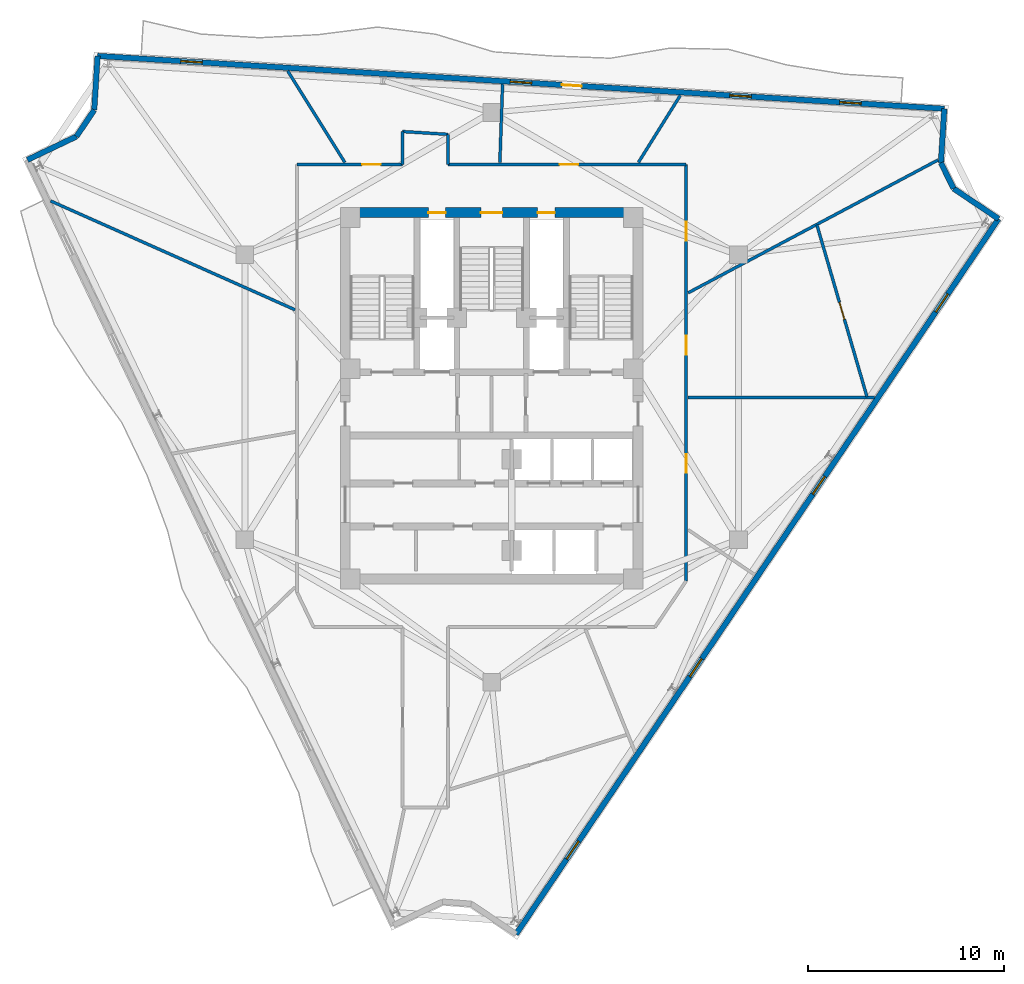
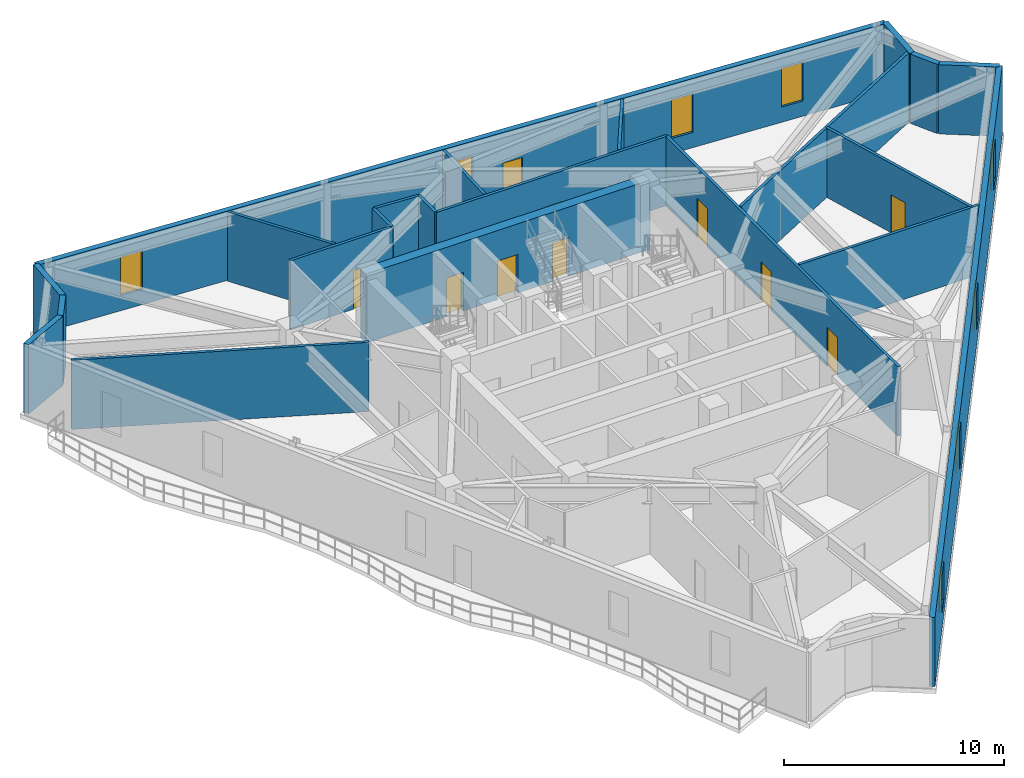
# One storey, part 7 of 10: 22 walls, 10 doors, 8 windows, 18 openings.
"""IFC4 building model written with IfcOpenShell, lengths in metres."""

from ifc_helpers import new_model, si_unit, direction, frame, frame_2d, origin, place, context, subcontext, project, spatial, rectangle, extrude, material, layer, layer_set, type_object, element, fill, save


model = new_model("IFC4")

# Units and contexts
model_context = context("Model", 3, precision=1e-05, world=origin(), true_north=direction((0.0, 1.0)))
body_context = subcontext(model_context, "Body", "Model", "MODEL_VIEW")
ifc_project = project(units=[si_unit("LENGTHUNIT", "METRE"), si_unit("AREAUNIT", "SQUARE_METRE"), si_unit("VOLUMEUNIT", "CUBIC_METRE"), si_unit("PLANEANGLEUNIT", "RADIAN"), si_unit("MASSUNIT", "GRAM", prefix="KILO")], contexts=[model_context])

# Site, building, storey
site_placement = place(None, origin())
site = spatial("IfcSite", under=ifc_project, at=site_placement, CompositionType="ELEMENT")
building_placement = place(site_placement, origin())
building = spatial("IfcBuilding", under=site, at=building_placement, Name="Apsidion Concourse Tower", CompositionType="ELEMENT")
storey_placement = place(building_placement, frame((0.0, 0.0, 302.39990234375)))
storey = spatial("IfcBuildingStorey", under=building, at=storey_placement, Name="L71", CompositionType="ELEMENT", Elevation=302.39990234375)

# Wall, openings, door, windows
ifc_material_1 = material(Name="Precast concrete C40/50", Category="concrete")
ifc_layer_1 = layer(ifc_material_1, 0.280029296875)
ifc_layer_set_1 = layer_set([ifc_layer_1], Name="Precast concrete C40/50")
wall_type_1 = type_object("IfcWallType", Name="WL-EXT-280", PredefinedType="STANDARD", material=ifc_layer_set_1)
wall_1_placement = place(storey_placement, frame((-20.056396484375, 17.376220703125, 0.0), z_axis=(0.0, 0.0, 1.0), x_axis=(0.998061236898, -0.06223959674, 0.0)))
wall_1 = element("IfcWall", 1, at=wall_1_placement, inside=storey, type_object=wall_type_1, Name="L71 Precast Stone Facade Wall 01", PredefinedType="STANDARD", context=body_context, shape_type="SweptSolid", body=[
    extrude(rectangle(XDim=43.179931640625, YDim=0.280029296875, at=frame_2d((21.58984375, 0.0))), origin(), (0.0, 0.0, 1.0), 3.85009765625),
])
opening_1_placement = place(wall_1_placement, frame((23.680908203125, 0.0, 0.0)))
opening_1 = element("IfcOpeningElement", 2, at=opening_1_placement, cuts=wall_1, Name="Opening D-T1R", PredefinedType="OPENING", context=body_context, shape_type="SweptSolid", body=[
    extrude(rectangle(XDim=1.0, YDim=2.14990234375, at=frame_2d((0.5, 1.074951171875))), frame((0.0, 0.14990234375, 0.0), z_axis=(0.0, -1.0, 0.0), x_axis=(1.0, 0.0, 0.0)), (0.0, 0.0, 1.0), 0.300048828125),
])
opening_2_placement = place(wall_1_placement, frame((4.239990234375, 0.0, 0.85009765625)))
opening_2 = element("IfcOpeningElement", 3, at=opening_2_placement, cuts=wall_1, Name="Opening WN-07", PredefinedType="OPENING", context=body_context, shape_type="SweptSolid", body=[
    extrude(rectangle(XDim=1.10009765625, YDim=2.14990234375, at=frame_2d((0.550048828125, 1.074951171875))), frame((0.0, 0.14990234375, 0.0), z_axis=(0.0, -1.0, 0.0), x_axis=(1.0, 0.0, 0.0)), (0.0, 0.0, 1.0), 0.300048828125),
])
opening_3_placement = place(wall_1_placement, frame((21.0400390625, 0.0, 0.85009765625)))
opening_3 = element("IfcOpeningElement", 4, at=opening_3_placement, cuts=wall_1, Name="Opening WN-07", PredefinedType="OPENING", context=body_context, shape_type="SweptSolid", body=[
    extrude(rectangle(XDim=1.10009765625, YDim=2.14990234375, at=frame_2d((0.550048828125, 1.074951171875))), frame((0.0, 0.14990234375, 0.0), z_axis=(0.0, -1.0, 0.0), x_axis=(1.0, 0.0, 0.0)), (0.0, 0.0, 1.0), 0.300048828125),
])
opening_4_placement = place(wall_1_placement, frame((32.239990234375, 0.0, 0.85009765625)))
opening_4 = element("IfcOpeningElement", 5, at=opening_4_placement, cuts=wall_1, Name="Opening WN-07", PredefinedType="OPENING", context=body_context, shape_type="SweptSolid", body=[
    extrude(rectangle(XDim=1.10009765625, YDim=2.14990234375, at=frame_2d((0.550048828125, 1.074951171875))), frame((0.0, 0.14990234375, 0.0), z_axis=(0.0, -1.0, 0.0), x_axis=(1.0, 0.0, 0.0)), (0.0, 0.0, 1.0), 0.300048828125),
])
opening_5_placement = place(wall_1_placement, frame((37.840087890625, 0.0, 0.85009765625)))
opening_5 = element("IfcOpeningElement", 6, at=opening_5_placement, cuts=wall_1, Name="Opening WN-07", PredefinedType="OPENING", context=body_context, shape_type="SweptSolid", body=[
    extrude(rectangle(XDim=1.10009765625, YDim=2.14990234375, at=frame_2d((0.550048828125, 1.074951171875))), frame((0.0, 0.14990234375, 0.0), z_axis=(0.0, -1.0, 0.0), x_axis=(1.0, 0.0, 0.0)), (0.0, 0.0, 1.0), 0.300048828125),
])
ifc_material_2 = material(Name="Anodised aluminium EN AW-6063 T6", Category="aluminium")
door_type_1 = type_object("IfcDoorType", Name="DR-TER-1022R", OperationType="SINGLE_SWING_RIGHT", PredefinedType="DOOR", material=ifc_material_2)
door_1_placement = place(opening_1_placement, origin())
door_1 = element("IfcDoor", 7, at=door_1_placement, inside=storey, type_object=door_type_1, Name="L71 Balcony Access Door 1", OperationType="SINGLE_SWING_RIGHT", OverallHeight=2.14990234375, OverallWidth=1.0, PredefinedType="DOOR", context=body_context, shape_type="SweptSolid", body=[
    extrude(rectangle(XDim=1.0, YDim=2.14990234375, at=frame_2d((0.5, 1.074951171875))), frame((0.0, 0.02490234375, 0.0), z_axis=(0.0, -1.0, 0.0), x_axis=(1.0, 0.0, 0.0)), (0.0, 0.0, 1.0), 0.050048828125),
])
fill(opening_1, door_1)
ifc_material_3 = material(Name="Insulated laminated low-E glass", Category="glass")
window_type = type_object("IfcWindowType", Name="WN-OFF-1123", PartitioningType="SINGLE_PANEL", PredefinedType="WINDOW", material=ifc_material_3)
window_1_placement = place(opening_2_placement, origin())
window_1 = element("IfcWindow", 8, at=window_1_placement, inside=storey, type_object=window_type, Name="L71 Punched Facade Window 1-01", OverallHeight=2.14990234375, OverallWidth=1.10009765625, PartitioningType="SINGLE_PANEL", PredefinedType="WINDOW", context=body_context, shape_type="SweptSolid", body=[
    extrude(rectangle(XDim=1.10009765625, YDim=2.14990234375, at=frame_2d((0.550048828125, 1.074951171875))), frame((0.0, 0.030029296875, 0.0), z_axis=(0.0, -1.0, 0.0), x_axis=(1.0, 0.0, 0.0)), (0.0, 0.0, 1.0), 0.06005859375),
])
fill(opening_2, window_1)
window_2_placement = place(opening_3_placement, origin())
window_2 = element("IfcWindow", 9, at=window_2_placement, inside=storey, type_object=window_type, Name="L71 Punched Facade Window 1-04", OverallHeight=2.14990234375, OverallWidth=1.10009765625, PartitioningType="SINGLE_PANEL", PredefinedType="WINDOW", context=body_context, shape_type="SweptSolid", body=[
    extrude(rectangle(XDim=1.10009765625, YDim=2.14990234375, at=frame_2d((0.550048828125, 1.074951171875))), frame((0.0, 0.030029296875, 0.0), z_axis=(0.0, -1.0, 0.0), x_axis=(1.0, 0.0, 0.0)), (0.0, 0.0, 1.0), 0.06005859375),
])
fill(opening_3, window_2)
window_3_placement = place(opening_4_placement, origin())
window_3 = element("IfcWindow", 10, at=window_3_placement, inside=storey, type_object=window_type, Name="L71 Punched Facade Window 1-06", OverallHeight=2.14990234375, OverallWidth=1.10009765625, PartitioningType="SINGLE_PANEL", PredefinedType="WINDOW", context=body_context, shape_type="SweptSolid", body=[
    extrude(rectangle(XDim=1.10009765625, YDim=2.14990234375, at=frame_2d((0.550048828125, 1.074951171875))), frame((0.0, 0.030029296875, 0.0), z_axis=(0.0, -1.0, 0.0), x_axis=(1.0, 0.0, 0.0)), (0.0, 0.0, 1.0), 0.06005859375),
])
fill(opening_4, window_3)
window_4_placement = place(opening_5_placement, origin())
window_4 = element("IfcWindow", 11, at=window_4_placement, inside=storey, type_object=window_type, Name="L71 Punched Facade Window 1-07", OverallHeight=2.14990234375, OverallWidth=1.10009765625, PartitioningType="SINGLE_PANEL", PredefinedType="WINDOW", context=body_context, shape_type="SweptSolid", body=[
    extrude(rectangle(XDim=1.10009765625, YDim=2.14990234375, at=frame_2d((0.550048828125, 1.074951171875))), frame((0.0, 0.030029296875, 0.0), z_axis=(0.0, -1.0, 0.0), x_axis=(1.0, 0.0, 0.0)), (0.0, 0.0, 1.0), 0.06005859375),
])
fill(opening_5, window_4)

# Walls
wall_2_placement = place(storey_placement, frame((23.039794921875, 14.688720703125, 0.0), z_axis=(0.0, 0.0, 1.0), x_axis=(-0.062295651102, -0.998057739739, 0.0)))
element("IfcWall", 12, at=wall_2_placement, inside=storey, type_object=wall_type_1, Name="L71 Precast Stone Facade Wall 02", PredefinedType="STANDARD", context=body_context, shape_type="SweptSolid", body=[
    extrude(rectangle(XDim=2.759033203125, YDim=0.280029296875, at=frame_2d((1.37939453125, 0.0))), origin(), (0.0, 0.0, 1.0), 3.85009765625),
])
wall_3_placement = place(storey_placement, frame((22.867919921875, 11.93505859375, 0.0), z_axis=(0.0, 0.0, 1.0), x_axis=(0.441785524615, -0.897120699929, 0.0)))
element("IfcWall", 13, at=wall_3_placement, inside=storey, type_object=wall_type_1, Name="L71 Precast Stone Facade Wall 03", PredefinedType="STANDARD", context=body_context, shape_type="SweptSolid", body=[
    extrude(rectangle(XDim=1.45947265625, YDim=0.280029296875, at=frame_2d((0.729736328125, 0.0))), origin(), (0.0, 0.0, 1.0), 3.85009765625),
])
wall_4_placement = place(storey_placement, frame((23.5126953125, 10.625732421875, 0.0), z_axis=(0.0, 0.0, 1.0), x_axis=(0.829056864924, -0.559164300294, 0.0)))
element("IfcWall", 14, at=wall_4_placement, inside=storey, type_object=wall_type_1, Name="L71 Precast Stone Facade Wall 04", PredefinedType="STANDARD", context=body_context, shape_type="SweptSolid", body=[
    extrude(rectangle(XDim=2.759033203125, YDim=0.280029296875, at=frame_2d((1.37939453125, 0.0))), origin(), (0.0, 0.0, 1.0), 3.85009765625),
])

# Wall, openings, windows
wall_5_placement = place(storey_placement, frame((25.800048828125, 9.0830078125, 0.0), z_axis=(0.0, 0.0, 1.0), x_axis=(-0.55919392155, -0.829036885851, 0.0)))
wall_5 = element("IfcWall", 15, at=wall_5_placement, inside=storey, type_object=wall_type_1, Name="L71 Precast Stone Facade Wall 05", PredefinedType="STANDARD", context=body_context, shape_type="SweptSolid", body=[
    extrude(rectangle(XDim=43.914794921875, YDim=0.280029296875, at=frame_2d((21.95751953125, 0.0))), origin(), (0.0, 0.0, 1.0), 3.85009765625),
])
opening_6_placement = place(wall_5_placement, frame((4.607421875, 0.0, 0.85009765625)))
opening_6 = element("IfcOpeningElement", 16, at=opening_6_placement, cuts=wall_5, Name="Opening WN-07", PredefinedType="OPENING", context=body_context, shape_type="SweptSolid", body=[
    extrude(rectangle(XDim=1.10009765625, YDim=2.14990234375, at=frame_2d((0.550048828125, 1.074951171875))), frame((0.0, 0.14990234375, 0.0), z_axis=(0.0, -1.0, 0.0), x_axis=(1.0, 0.0, 0.0)), (0.0, 0.0, 1.0), 0.300048828125),
])
opening_7_placement = place(wall_5_placement, frame((15.807373046875, 0.0, 0.85009765625)))
opening_7 = element("IfcOpeningElement", 17, at=opening_7_placement, cuts=wall_5, Name="Opening WN-07", PredefinedType="OPENING", context=body_context, shape_type="SweptSolid", body=[
    extrude(rectangle(XDim=1.10009765625, YDim=2.14990234375, at=frame_2d((0.550048828125, 1.074951171875))), frame((0.0, 0.14990234375, 0.0), z_axis=(0.0, -1.0, 0.0), x_axis=(1.0, 0.0, 0.0)), (0.0, 0.0, 1.0), 0.300048828125),
])
opening_8_placement = place(wall_5_placement, frame((27.00732421875, 0.0, 0.85009765625)))
opening_8 = element("IfcOpeningElement", 18, at=opening_8_placement, cuts=wall_5, Name="Opening WN-07", PredefinedType="OPENING", context=body_context, shape_type="SweptSolid", body=[
    extrude(rectangle(XDim=1.10009765625, YDim=2.14990234375, at=frame_2d((0.550048828125, 1.074951171875))), frame((0.0, 0.14990234375, 0.0), z_axis=(0.0, -1.0, 0.0), x_axis=(1.0, 0.0, 0.0)), (0.0, 0.0, 1.0), 0.300048828125),
])
opening_9_placement = place(wall_5_placement, frame((38.207275390625, 0.0, 0.85009765625)))
opening_9 = element("IfcOpeningElement", 19, at=opening_9_placement, cuts=wall_5, Name="Opening WN-07", PredefinedType="OPENING", context=body_context, shape_type="SweptSolid", body=[
    extrude(rectangle(XDim=1.10009765625, YDim=2.14990234375, at=frame_2d((0.550048828125, 1.074951171875))), frame((0.0, 0.14990234375, 0.0), z_axis=(0.0, -1.0, 0.0), x_axis=(1.0, 0.0, 0.0)), (0.0, 0.0, 1.0), 0.300048828125),
])
window_5_placement = place(opening_6_placement, origin())
window_5 = element("IfcWindow", 20, at=window_5_placement, inside=storey, type_object=window_type, Name="L71 Punched Facade Window 5-01", OverallHeight=2.14990234375, OverallWidth=1.10009765625, PartitioningType="SINGLE_PANEL", PredefinedType="WINDOW", context=body_context, shape_type="SweptSolid", body=[
    extrude(rectangle(XDim=1.10009765625, YDim=2.14990234375, at=frame_2d((0.550048828125, 1.074951171875))), frame((0.0, 0.030029296875, 0.0), z_axis=(0.0, -1.0, 0.0), x_axis=(1.0, 0.0, 0.0)), (0.0, 0.0, 1.0), 0.06005859375),
])
fill(opening_6, window_5)
window_6_placement = place(opening_7_placement, origin())
window_6 = element("IfcWindow", 21, at=window_6_placement, inside=storey, type_object=window_type, Name="L71 Punched Facade Window 5-03", OverallHeight=2.14990234375, OverallWidth=1.10009765625, PartitioningType="SINGLE_PANEL", PredefinedType="WINDOW", context=body_context, shape_type="SweptSolid", body=[
    extrude(rectangle(XDim=1.10009765625, YDim=2.14990234375, at=frame_2d((0.550048828125, 1.074951171875))), frame((0.0, 0.030029296875, 0.0), z_axis=(0.0, -1.0, 0.0), x_axis=(1.0, 0.0, 0.0)), (0.0, 0.0, 1.0), 0.06005859375),
])
fill(opening_7, window_6)
window_7_placement = place(opening_8_placement, origin())
window_7 = element("IfcWindow", 22, at=window_7_placement, inside=storey, type_object=window_type, Name="L71 Punched Facade Window 5-05", OverallHeight=2.14990234375, OverallWidth=1.10009765625, PartitioningType="SINGLE_PANEL", PredefinedType="WINDOW", context=body_context, shape_type="SweptSolid", body=[
    extrude(rectangle(XDim=1.10009765625, YDim=2.14990234375, at=frame_2d((0.550048828125, 1.074951171875))), frame((0.0, 0.030029296875, 0.0), z_axis=(0.0, -1.0, 0.0), x_axis=(1.0, 0.0, 0.0)), (0.0, 0.0, 1.0), 0.06005859375),
])
fill(opening_8, window_7)
window_8_placement = place(opening_9_placement, origin())
window_8 = element("IfcWindow", 23, at=window_8_placement, inside=storey, type_object=window_type, Name="L71 Punched Facade Window 5-07", OverallHeight=2.14990234375, OverallWidth=1.10009765625, PartitioningType="SINGLE_PANEL", PredefinedType="WINDOW", context=body_context, shape_type="SweptSolid", body=[
    extrude(rectangle(XDim=1.10009765625, YDim=2.14990234375, at=frame_2d((0.550048828125, 1.074951171875))), frame((0.0, 0.030029296875, 0.0), z_axis=(0.0, -1.0, 0.0), x_axis=(1.0, 0.0, 0.0)), (0.0, 0.0, 1.0), 0.06005859375),
])
fill(opening_9, window_8)

# Walls
wall_6_placement = place(storey_placement, frame((-23.62451171875, 12.0869140625, 0.0), z_axis=(0.0, 0.0, 1.0), x_axis=(0.902092306117, 0.431543127909, 0.0)))
element("IfcWall", 24, at=wall_6_placement, inside=storey, type_object=wall_type_1, Name="L71 Precast Stone Facade Wall 10", PredefinedType="STANDARD", context=body_context, shape_type="SweptSolid", body=[
    extrude(rectangle(XDim=2.76025390625, YDim=0.280029296875, at=frame_2d((1.380126953125, 0.0))), origin(), (0.0, 0.0, 1.0), 3.85009765625),
])
wall_7_placement = place(storey_placement, frame((-21.134521484375, 13.278076171875, 0.0), z_axis=(0.0, 0.0, 1.0), x_axis=(0.559107950815, 0.829094867512, 0.0)))
element("IfcWall", 25, at=wall_7_placement, inside=storey, type_object=wall_type_1, Name="L71 Precast Stone Facade Wall 11", PredefinedType="STANDARD", context=body_context, shape_type="SweptSolid", body=[
    extrude(rectangle(XDim=1.620361328125, YDim=0.280029296875, at=frame_2d((0.81005859375, 0.0))), origin(), (0.0, 0.0, 1.0), 3.85009765625),
])
wall_8_placement = place(storey_placement, frame((-20.228515625, 14.62158203125, 0.0), z_axis=(0.0, 0.0, 1.0), x_axis=(0.062361765106, 0.998053610911, 0.0)))
element("IfcWall", 26, at=wall_8_placement, inside=storey, type_object=wall_type_1, Name="L71 Precast Stone Facade Wall 12", PredefinedType="STANDARD", context=body_context, shape_type="SweptSolid", body=[
    extrude(rectangle(XDim=2.760009765625, YDim=0.280029296875, at=frame_2d((1.3798828125, 0.0))), origin(), (0.0, 0.0, 1.0), 3.85009765625),
])

# Wall, opening, door
ifc_material_4 = material(Name="Gypsum plasterboard partition")
ifc_layer_2 = layer(ifc_material_4, 0.14990234375)
ifc_layer_set_2 = layer_set([ifc_layer_2], Name="Gypsum plasterboard partition")
wall_type_2 = type_object("IfcWallType", Name="WL-INT-PAR-150", PredefinedType="PARTITIONING", material=ifc_layer_set_2)
wall_9_placement = place(storey_placement, frame((-9.89990234375, 11.85009765625, 0.0), z_axis=(0.0, 0.0, 1.0), x_axis=(1.0, 0.0, 0.0)))
wall_9 = element("IfcWall", 27, at=wall_9_placement, inside=storey, type_object=wall_type_2, Name="L71 Interior Partition WL-L71-CORR-04", PredefinedType="PARTITIONING", context=body_context, shape_type="SweptSolid", body=[
    extrude(rectangle(XDim=5.369873046875, YDim=0.14990234375, at=frame_2d((2.68505859375, 0.0))), origin(), (0.0, 0.0, 1.0), 3.85009765625),
])
opening_10_placement = place(wall_9_placement, frame((3.30126953125, 0.0, 0.0)))
opening_10 = element("IfcOpeningElement", 28, at=opening_10_placement, cuts=wall_9, Name="Opening D-01L", PredefinedType="OPENING", context=body_context, shape_type="SweptSolid", body=[
    extrude(rectangle(XDim=0.949951171875, YDim=2.14990234375, at=frame_2d((0.47509765625, 1.074951171875))), frame((0.0, 0.0849609375, 0.0), z_axis=(0.0, -1.0, 0.0), x_axis=(1.0, 0.0, 0.0)), (0.0, 0.0, 1.0), 0.169921875),
])
ifc_material_5 = material(Name="Brushed stainless steel 316", Category="steel")
door_type_2 = type_object("IfcDoorType", Name="DR-INT-D01L", OperationType="SINGLE_SWING_LEFT", PredefinedType="DOOR", material=ifc_material_5)
door_2_placement = place(opening_10_placement, origin())
door_2 = element("IfcDoor", 29, at=door_2_placement, inside=storey, type_object=door_type_2, Name="L71 Corridor Entry Door 09", OperationType="SINGLE_SWING_LEFT", OverallHeight=2.14990234375, OverallWidth=0.949951171875, PredefinedType="DOOR", context=body_context, shape_type="SweptSolid", body=[
    extrude(rectangle(XDim=0.949951171875, YDim=2.14990234375, at=frame_2d((0.47509765625, 1.074951171875))), frame((0.0, 0.02490234375, 0.0), z_axis=(0.0, -1.0, 0.0), x_axis=(1.0, 0.0, 0.0)), (0.0, 0.0, 1.0), 0.050048828125),
])
fill(opening_10, door_2)

# Walls
wall_10_placement = place(storey_placement, frame((-4.530029296875, 11.85009765625, 0.0), z_axis=(0.0, 0.0, 1.0), x_axis=(0.0, 1.0, 0.0)))
element("IfcWall", 30, at=wall_10_placement, inside=storey, type_object=wall_type_2, Name="L71 Interior Partition WL-L71-CORR-05", PredefinedType="PARTITIONING", context=body_context, shape_type="SweptSolid", body=[
    extrude(rectangle(XDim=1.67724609375, YDim=0.14990234375, at=frame_2d((0.838623046875, 0.0))), origin(), (0.0, 0.0, 1.0), 3.85009765625),
])
wall_11_placement = place(storey_placement, frame((-4.530029296875, 13.52734375, 0.0), z_axis=(0.0, 0.0, 1.0), x_axis=(0.998061597532, -0.062233813416, 0.0)))
element("IfcWall", 31, at=wall_11_placement, inside=storey, type_object=wall_type_2, Name="L71 Interior Partition WL-L71-CORR-06", PredefinedType="PARTITIONING", context=body_context, shape_type="SweptSolid", body=[
    extrude(rectangle(XDim=2.314453125, YDim=0.14990234375, at=frame_2d((1.1572265625, 0.0))), origin(), (0.0, 0.0, 1.0), 3.85009765625),
])
wall_12_placement = place(storey_placement, frame((-2.219970703125, 13.38330078125, 0.0), z_axis=(0.0, 0.0, 1.0), x_axis=(0.0, -1.0, 0.0)))
element("IfcWall", 32, at=wall_12_placement, inside=storey, type_object=wall_type_2, Name="L71 Interior Partition WL-L71-CORR-07", PredefinedType="PARTITIONING", context=body_context, shape_type="SweptSolid", body=[
    extrude(rectangle(XDim=1.533203125, YDim=0.14990234375, at=frame_2d((0.7666015625, 0.0))), origin(), (0.0, 0.0, 1.0), 3.85009765625),
])

# Wall, opening, door
wall_13_placement = place(storey_placement, frame((-2.219970703125, 11.85009765625, 0.0), z_axis=(0.0, 0.0, 1.0), x_axis=(1.0, 0.0, 0.0)))
wall_13 = element("IfcWall", 33, at=wall_13_placement, inside=storey, type_object=wall_type_2, Name="L71 Interior Partition WL-L71-CORR-08", PredefinedType="PARTITIONING", context=body_context, shape_type="SweptSolid", body=[
    extrude(rectangle(XDim=12.119873046875, YDim=0.14990234375, at=frame_2d((6.06005859375, 0.0))), origin(), (0.0, 0.0, 1.0), 3.85009765625),
])
opening_11_placement = place(wall_13_placement, frame((5.684326171875, 0.0, 0.0)))
opening_11 = element("IfcOpeningElement", 34, at=opening_11_placement, cuts=wall_13, Name="Opening D-01R", PredefinedType="OPENING", context=body_context, shape_type="SweptSolid", body=[
    extrude(rectangle(XDim=0.949951171875, YDim=2.14990234375, at=frame_2d((0.47509765625, 1.074951171875))), frame((0.0, 0.0849609375, 0.0), z_axis=(0.0, -1.0, 0.0), x_axis=(1.0, 0.0, 0.0)), (0.0, 0.0, 1.0), 0.169921875),
])
door_type_3 = type_object("IfcDoorType", Name="DR-INT-D01R", OperationType="SINGLE_SWING_RIGHT", PredefinedType="DOOR", material=ifc_material_5)
door_3_placement = place(opening_11_placement, origin())
door_3 = element("IfcDoor", 35, at=door_3_placement, inside=storey, type_object=door_type_3, Name="L71 Corridor Entry Door 08", OperationType="SINGLE_SWING_RIGHT", OverallHeight=2.14990234375, OverallWidth=0.949951171875, PredefinedType="DOOR", context=body_context, shape_type="SweptSolid", body=[
    extrude(rectangle(XDim=0.949951171875, YDim=2.14990234375, at=frame_2d((0.47509765625, 1.074951171875))), frame((0.0, 0.02490234375, 0.0), z_axis=(0.0, -1.0, 0.0), x_axis=(1.0, 0.0, 0.0)), (0.0, 0.0, 1.0), 0.050048828125),
])
fill(opening_11, door_3)

# Wall, openings, doors
wall_14_placement = place(storey_placement, frame((9.89990234375, 11.85009765625, 0.0), z_axis=(0.0, 0.0, 1.0), x_axis=(0.0, -1.0, 0.0)))
wall_14 = element("IfcWall", 36, at=wall_14_placement, inside=storey, type_object=wall_type_2, Name="L71 Interior Partition WL-L71-CORR-09", PredefinedType="PARTITIONING", context=body_context, shape_type="SweptSolid", body=[
    extrude(rectangle(XDim=21.198486328125, YDim=0.14990234375, at=frame_2d((10.59912109375, 0.0))), origin(), (0.0, 0.0, 1.0), 3.85009765625),
])
opening_12_placement = place(wall_14_placement, frame((14.74560546875, 0.0, 0.0)))
opening_12 = element("IfcOpeningElement", 37, at=opening_12_placement, cuts=wall_14, Name="Opening D-01L", PredefinedType="OPENING", context=body_context, shape_type="SweptSolid", body=[
    extrude(rectangle(XDim=0.949951171875, YDim=2.14990234375, at=frame_2d((0.47509765625, 1.074951171875))), frame((0.0, 0.0849609375, 0.0), z_axis=(0.0, -1.0, 0.0), x_axis=(1.0, 0.0, 0.0)), (0.0, 0.0, 1.0), 0.169921875),
])
opening_13_placement = place(wall_14_placement, frame((8.720947265625, 0.0, 0.0)))
opening_13 = element("IfcOpeningElement", 38, at=opening_13_placement, cuts=wall_14, Name="Opening D-01R", PredefinedType="OPENING", context=body_context, shape_type="SweptSolid", body=[
    extrude(rectangle(XDim=0.949951171875, YDim=2.14990234375, at=frame_2d((0.47509765625, 1.074951171875))), frame((0.0, 0.0849609375, 0.0), z_axis=(0.0, -1.0, 0.0), x_axis=(1.0, 0.0, 0.0)), (0.0, 0.0, 1.0), 0.169921875),
])
opening_14_placement = place(wall_14_placement, frame((2.9189453125, 0.0, 0.0)))
opening_14 = element("IfcOpeningElement", 39, at=opening_14_placement, cuts=wall_14, Name="Opening D-01L", PredefinedType="OPENING", context=body_context, shape_type="SweptSolid", body=[
    extrude(rectangle(XDim=0.949951171875, YDim=2.14990234375, at=frame_2d((0.47509765625, 1.074951171875))), frame((0.0, 0.0849609375, 0.0), z_axis=(0.0, -1.0, 0.0), x_axis=(1.0, 0.0, 0.0)), (0.0, 0.0, 1.0), 0.169921875),
])
door_4_placement = place(opening_12_placement, origin())
door_4 = element("IfcDoor", 40, at=door_4_placement, inside=storey, type_object=door_type_2, Name="L71 Corridor Entry Door 05", OperationType="SINGLE_SWING_LEFT", OverallHeight=2.14990234375, OverallWidth=0.949951171875, PredefinedType="DOOR", context=body_context, shape_type="SweptSolid", body=[
    extrude(rectangle(XDim=0.949951171875, YDim=2.14990234375, at=frame_2d((0.47509765625, 1.074951171875))), frame((0.0, 0.02490234375, 0.0), z_axis=(0.0, -1.0, 0.0), x_axis=(1.0, 0.0, 0.0)), (0.0, 0.0, 1.0), 0.050048828125),
])
fill(opening_12, door_4)
door_5_placement = place(opening_14_placement, origin())
door_5 = element("IfcDoor", 41, at=door_5_placement, inside=storey, type_object=door_type_2, Name="L71 Corridor Entry Door 07", OperationType="SINGLE_SWING_LEFT", OverallHeight=2.14990234375, OverallWidth=0.949951171875, PredefinedType="DOOR", context=body_context, shape_type="SweptSolid", body=[
    extrude(rectangle(XDim=0.949951171875, YDim=2.14990234375, at=frame_2d((0.47509765625, 1.074951171875))), frame((0.0, 0.02490234375, 0.0), z_axis=(0.0, -1.0, 0.0), x_axis=(1.0, 0.0, 0.0)), (0.0, 0.0, 1.0), 0.050048828125),
])
fill(opening_14, door_5)
door_6_placement = place(opening_13_placement, origin())
door_6 = element("IfcDoor", 42, at=door_6_placement, inside=storey, type_object=door_type_3, Name="L71 Corridor Entry Door 06", OperationType="SINGLE_SWING_RIGHT", OverallHeight=2.14990234375, OverallWidth=0.949951171875, PredefinedType="DOOR", context=body_context, shape_type="SweptSolid", body=[
    extrude(rectangle(XDim=0.949951171875, YDim=2.14990234375, at=frame_2d((0.47509765625, 1.074951171875))), frame((0.0, 0.02490234375, 0.0), z_axis=(0.0, -1.0, 0.0), x_axis=(1.0, 0.0, 0.0)), (0.0, 0.0, 1.0), 0.050048828125),
])
fill(opening_13, door_6)

# Walls
wall_15_placement = place(storey_placement, frame((10.0048828125, 0.0, 0.0), z_axis=(0.0, 0.0, 1.0), x_axis=(1.0, 0.0, 0.0)))
element("IfcWall", 43, at=wall_15_placement, inside=storey, type_object=wall_type_2, Name="L71 Interior Partition WL-L71-RAD-01-1", PredefinedType="PARTITIONING", context=body_context, shape_type="SweptSolid", body=[
    extrude(rectangle(XDim=9.481689453125, YDim=0.14990234375, at=frame_2d((4.74072265625, 0.0))), origin(), (0.0, 0.0, 1.0), 3.85009765625),
])
wall_16_placement = place(storey_placement, frame((10.0048828125, 5.31982421875, 0.0), z_axis=(0.0, 0.0, 1.0), x_axis=(0.882952377043, 0.469462564933, 0.0)))
element("IfcWall", 44, at=wall_16_placement, inside=storey, type_object=wall_type_2, Name="L71 Interior Partition WL-L71-RAD-02-1", PredefinedType="PARTITIONING", context=body_context, shape_type="SweptSolid", body=[
    extrude(rectangle(XDim=14.402587890625, YDim=0.14990234375, at=frame_2d((7.201171875, 0.0))), origin(), (0.0, 0.0, 1.0), 3.85009765625),
])
wall_17_placement = place(storey_placement, frame((7.47021484375, 11.955078125, 0.0), z_axis=(0.0, 0.0, 1.0), x_axis=(0.529955356104, 0.848025542384, 0.0)))
element("IfcWall", 45, at=wall_17_placement, inside=storey, type_object=wall_type_2, Name="L71 Interior Partition WL-L71-RAD-03-1", PredefinedType="PARTITIONING", context=body_context, shape_type="SweptSolid", body=[
    extrude(rectangle(XDim=4.0283203125, YDim=0.14990234375, at=frame_2d((2.01416015625, 0.0))), origin(), (0.0, 0.0, 1.0), 3.85009765625),
])
wall_18_placement = place(storey_placement, frame((0.41748046875, 11.955078125, 0.0), z_axis=(0.0, 0.0, 1.0), x_axis=(0.034878177383, 0.999391571278, 0.0)))
element("IfcWall", 46, at=wall_18_placement, inside=storey, type_object=wall_type_2, Name="L71 Interior Partition WL-L71-RAD-04-1", PredefinedType="PARTITIONING", context=body_context, shape_type="SweptSolid", body=[
    extrude(rectangle(XDim=3.98291015625, YDim=0.14990234375, at=frame_2d((1.991455078125, 0.0))), origin(), (0.0, 0.0, 1.0), 3.85009765625),
])
wall_19_placement = place(storey_placement, frame((-7.47021484375, 11.955078125, 0.0), z_axis=(0.0, 0.0, 1.0), x_axis=(-0.529939070682, 0.848035719392, 0.0)))
element("IfcWall", 47, at=wall_19_placement, inside=storey, type_object=wall_type_2, Name="L71 Interior Partition WL-L71-RAD-05-1", PredefinedType="PARTITIONING", context=body_context, shape_type="SweptSolid", body=[
    extrude(rectangle(XDim=5.498291015625, YDim=0.14990234375, at=frame_2d((2.7490234375, 0.0))), origin(), (0.0, 0.0, 1.0), 3.85009765625),
])
wall_20_placement = place(storey_placement, frame((-10.0048828125, 4.45458984375, 0.0), z_axis=(0.0, 0.0, 1.0), x_axis=(-0.913545354583, 0.406736874552, 0.0)))
element("IfcWall", 48, at=wall_20_placement, inside=storey, type_object=wall_type_2, Name="L71 Interior Partition WL-L71-RAD-06-1", PredefinedType="PARTITIONING", context=body_context, shape_type="SweptSolid", body=[
    extrude(rectangle(XDim=13.62548828125, YDim=0.14990234375, at=frame_2d((6.812744140625, 0.0))), origin(), (0.0, 0.0, 1.0), 3.85009765625),
])

# Wall, opening, door
wall_21_placement = place(storey_placement, frame((19.10498046875, 0.02490234375, 0.0), z_axis=(0.0, 0.0, 1.0), x_axis=(-0.279791162652, 0.960060886247, 0.0)))
wall_21 = element("IfcWall", 49, at=wall_21_placement, inside=storey, type_object=wall_type_2, Name="L71 Interior Partition WL-L71-CHD-OFS05", PredefinedType="PARTITIONING", context=body_context, shape_type="SweptSolid", body=[
    extrude(rectangle(XDim=9.11328125, YDim=0.14990234375, at=frame_2d((4.556640625, 0.0))), origin(), (0.0, 0.0, 1.0), 3.85009765625),
])
opening_15_placement = place(wall_21_placement, frame((4.106689453125, 0.0, 0.0)))
opening_15 = element("IfcOpeningElement", 50, at=opening_15_placement, cuts=wall_21, Name="Opening D-02R", PredefinedType="OPENING", context=body_context, shape_type="SweptSolid", body=[
    extrude(rectangle(XDim=0.89990234375, YDim=2.10009765625, at=frame_2d((0.449951171875, 1.050048828125))), frame((0.0, 0.0849609375, 0.0), z_axis=(0.0, -1.0, 0.0), x_axis=(1.0, 0.0, 0.0)), (0.0, 0.0, 1.0), 0.169921875),
])
door_type_4 = type_object("IfcDoorType", Name="DR-INT-D02R", OperationType="SINGLE_SWING_RIGHT", PredefinedType="DOOR", material=ifc_material_2)
door_7_placement = place(opening_15_placement, origin())
door_7 = element("IfcDoor", 51, at=door_7_placement, inside=storey, type_object=door_type_4, Name="L71 Suite Connecting Door OFS05", OperationType="SINGLE_SWING_RIGHT", OverallHeight=2.10009765625, OverallWidth=0.89990234375, PredefinedType="DOOR", context=body_context, shape_type="SweptSolid", body=[
    extrude(rectangle(XDim=0.89990234375, YDim=2.10009765625, at=frame_2d((0.449951171875, 1.050048828125))), frame((0.0, 0.02490234375, 0.0), z_axis=(0.0, -1.0, 0.0), x_axis=(1.0, 0.0, 0.0)), (0.0, 0.0, 1.0), 0.050048828125),
])
fill(opening_15, door_7)

# Wall, openings, doors
ifc_material_6 = material(Name="Concrete C50/60", Category="concrete")
ifc_layer_3 = layer(ifc_material_6, 0.5)
ifc_layer_set_3 = layer_set([ifc_layer_3], Name="Concrete C50/60")
wall_type_3 = type_object("IfcWallType", Name="WL-SH-500", PredefinedType="SHEAR", material=ifc_layer_set_3)
wall_22_placement = place(storey_placement, frame((-7.449951171875, 9.39990234375, 0.0), z_axis=(0.0, 0.0, 1.0), x_axis=(1.0, 0.0, 0.0)))
wall_22 = element("IfcWall", 52, at=wall_22_placement, inside=storey, type_object=wall_type_3, Name="L71 Central Core Shear Wall N", PredefinedType="SHEAR", context=body_context, shape_type="SweptSolid", body=[
    extrude(rectangle(XDim=14.89990234375, YDim=0.5, at=frame_2d((7.449951171875, 0.0))), origin(), (0.0, 0.0, 1.0), 3.85009765625),
])
opening_16_placement = place(wall_22_placement, frame((6.89990234375, 0.0, 0.0)))
opening_16 = element("IfcOpeningElement", 53, at=opening_16_placement, cuts=wall_22, Name="Opening D-STL", PredefinedType="OPENING", context=body_context, shape_type="SweptSolid", body=[
    extrude(rectangle(XDim=1.10009765625, YDim=2.14990234375, at=frame_2d((0.550048828125, 1.074951171875))), frame((0.0, 0.260009765625, 0.0), z_axis=(0.0, -1.0, 0.0), x_axis=(1.0, 0.0, 0.0)), (0.0, 0.0, 1.0), 0.52001953125),
])
opening_17_placement = place(wall_22_placement, frame((4.22998046875, 0.0, 0.0)))
opening_17 = element("IfcOpeningElement", 54, at=opening_17_placement, cuts=wall_22, Name="Opening D-05L", PredefinedType="OPENING", context=body_context, shape_type="SweptSolid", body=[
    extrude(rectangle(XDim=0.8798828125, YDim=2.14990234375, at=frame_2d((0.43994140625, 1.074951171875))), frame((0.0, 0.260009765625, 0.0), z_axis=(0.0, -1.0, 0.0), x_axis=(1.0, 0.0, 0.0)), (0.0, 0.0, 1.0), 0.52001953125),
])
opening_18_placement = place(wall_22_placement, frame((9.7900390625, 0.0, 0.0)))
opening_18 = element("IfcOpeningElement", 55, at=opening_18_placement, cuts=wall_22, Name="Opening D-05R", PredefinedType="OPENING", context=body_context, shape_type="SweptSolid", body=[
    extrude(rectangle(XDim=0.8798828125, YDim=2.14990234375, at=frame_2d((0.43994140625, 1.074951171875))), frame((0.0, 0.260009765625, 0.0), z_axis=(0.0, -1.0, 0.0), x_axis=(1.0, 0.0, 0.0)), (0.0, 0.0, 1.0), 0.52001953125),
])
door_type_5 = type_object("IfcDoorType", Name="DR-INT-D05L", OperationType="SINGLE_SWING_LEFT", PredefinedType="DOOR", material=ifc_material_5)
door_8_placement = place(opening_17_placement, origin())
door_8 = element("IfcDoor", 56, at=door_8_placement, inside=storey, type_object=door_type_5, Name="L71 Electrical Riser Shaft Access Door", OperationType="SINGLE_SWING_LEFT", OverallHeight=2.14990234375, OverallWidth=0.8798828125, PredefinedType="DOOR", context=body_context, shape_type="SweptSolid", body=[
    extrude(rectangle(XDim=0.8798828125, YDim=2.14990234375, at=frame_2d((0.43994140625, 1.074951171875))), frame((0.0, 0.02490234375, 0.0), z_axis=(0.0, -1.0, 0.0), x_axis=(1.0, 0.0, 0.0)), (0.0, 0.0, 1.0), 0.050048828125),
])
fill(opening_17, door_8)
door_type_6 = type_object("IfcDoorType", Name="DR-INT-D05R", OperationType="SINGLE_SWING_RIGHT", PredefinedType="DOOR", material=ifc_material_5)
door_9_placement = place(opening_18_placement, origin())
door_9 = element("IfcDoor", 57, at=door_9_placement, inside=storey, type_object=door_type_6, Name="L71 Mechanical Riser Shaft Access Door", OperationType="SINGLE_SWING_RIGHT", OverallHeight=2.14990234375, OverallWidth=0.8798828125, PredefinedType="DOOR", context=body_context, shape_type="SweptSolid", body=[
    extrude(rectangle(XDim=0.8798828125, YDim=2.14990234375, at=frame_2d((0.43994140625, 1.074951171875))), frame((0.0, 0.02490234375, 0.0), z_axis=(0.0, -1.0, 0.0), x_axis=(1.0, 0.0, 0.0)), (0.0, 0.0, 1.0), 0.050048828125),
])
fill(opening_18, door_9)
door_type_7 = type_object("IfcDoorType", Name="DR-INT-ST1L", OperationType="SINGLE_SWING_LEFT", PredefinedType="DOOR", material=ifc_material_5)
door_10_placement = place(opening_16_placement, origin())
door_10 = element("IfcDoor", 58, at=door_10_placement, inside=storey, type_object=door_type_7, Name="L71 Core Exit Stair ST3 Door", OperationType="SINGLE_SWING_LEFT", OverallHeight=2.14990234375, OverallWidth=1.10009765625, PredefinedType="DOOR", context=body_context, shape_type="SweptSolid", body=[
    extrude(rectangle(XDim=1.10009765625, YDim=2.14990234375, at=frame_2d((0.550048828125, 1.074951171875))), frame((0.0, 0.02490234375, 0.0), z_axis=(0.0, -1.0, 0.0), x_axis=(1.0, 0.0, 0.0)), (0.0, 0.0, 1.0), 0.050048828125),
])
fill(opening_16, door_10)

save(model, "model.ifc")
